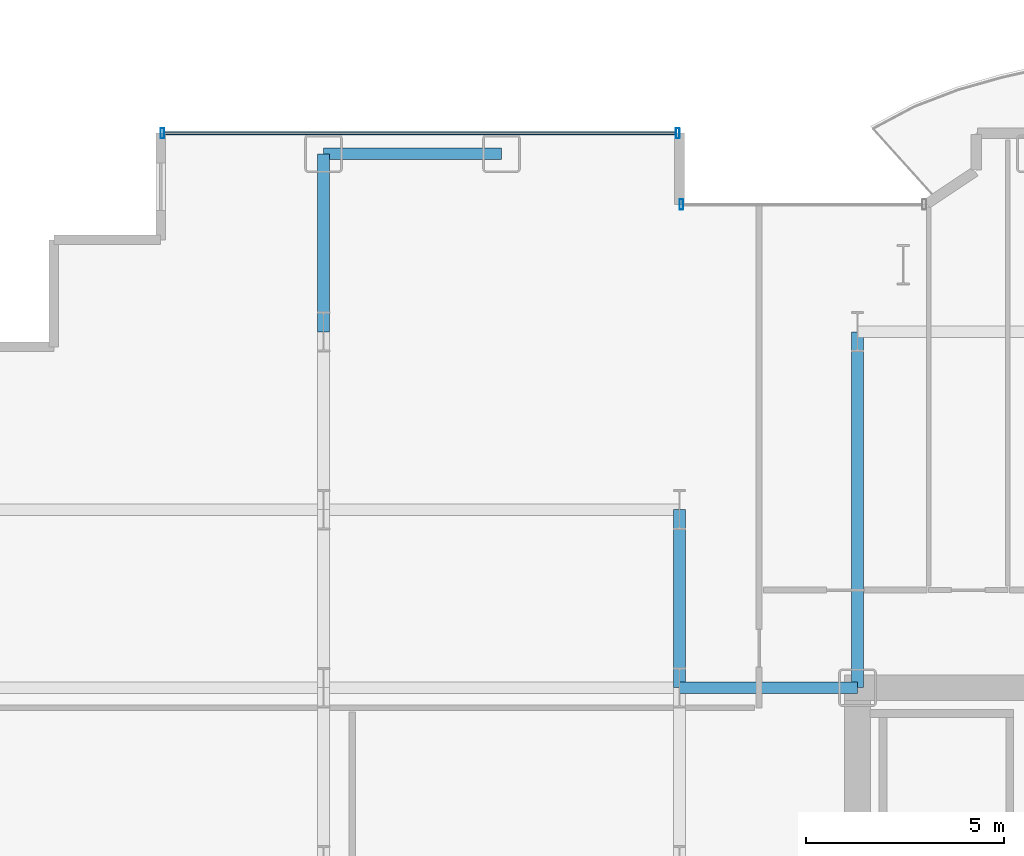
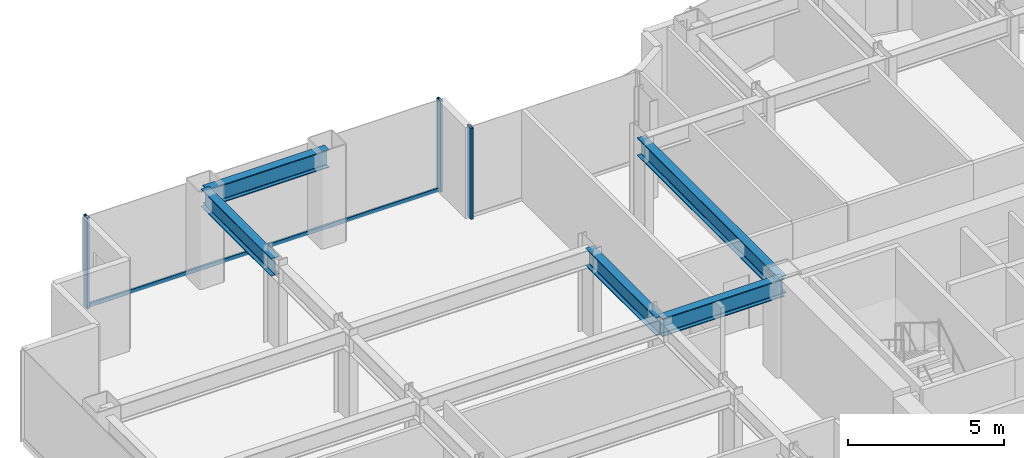
# One storey, part 12 of 29: 5 beams, 4 members, 2 elements without a shape of their own.
"""IFC4 building model written with IfcOpenShell, lengths in metres."""

import ifcopenshell
import ifcopenshell.guid

model = None  # the IFC model being written
_history = None  # IfcOwnerHistory: only IFC2X3 demands one
_inside = {}  # id of a spatial element -> (the spatial element, [elements in it])
_under = {}  # id of a project, library or spatial element -> (it, [spatial elements below it])
_declared = {}  # id of a project -> (the project, [libraries it declares])
_typed = {}  # id of a type object -> (the type object, [elements of that type])
_made_of = {}  # id of a material, layer set ... -> (it, [elements and type objects made of it])


def new_model(schema):
    """Start an empty IFC model of exactly this schema.

    Asked for "IFC4X3", IfcOpenShell would pick the latest addendum, in which some entities
    have other attributes; the version numbers below select the first issue.
    IFC2X3 requires an IfcOwnerHistory on every rooted entity: one is made here for all.
    """
    global model, _history
    if schema == "IFC4X3":
        model = ifcopenshell.file(schema_version=(4, 3, 0, 0))
    else:
        model = ifcopenshell.file(schema=schema)
    _inside.clear()
    _under.clear()
    _declared.clear()
    _typed.clear()
    _made_of.clear()
    _history = None
    if model.schema == "IFC2X3":
        org = make("IfcOrganization", Name="unknown")
        user = make(
            "IfcPersonAndOrganization",
            ThePerson=make("IfcPerson", FamilyName="unknown"),
            TheOrganization=org,
        )
        app = make(
            "IfcApplication",
            ApplicationDeveloper=org,
            Version="unknown",
            ApplicationFullName="unknown",
            ApplicationIdentifier="unknown",
        )
        _history = make(
            "IfcOwnerHistory",
            OwningUser=user,
            OwningApplication=app,
            ChangeAction="ADDED",
            CreationDate=0,
        )
    return model


def make(cls, **values):
    """One entity of the class cls with the attributes given. An attribute that is None is left unset."""
    return model.create_entity(
        cls, **{name: value for name, value in values.items() if value is not None}
    )


def rooted(cls, **values):
    """An entity with a GlobalId (a new one), such as an element, a storey or a relation."""
    return make(cls, GlobalId=ifcopenshell.guid.new(), OwnerHistory=_history, **values)


def si_unit(unit_type, name, prefix=None):
    """IfcSIUnit, for example si_unit("LENGTHUNIT", "METRE", prefix="MILLI")."""
    return make("IfcSIUnit", UnitType=unit_type, Prefix=prefix, Name=name)


def assignment(units):
    """IfcUnitAssignment: the units of a project."""
    return None if units is None else make("IfcUnitAssignment", Units=units)


def point(xyz):
    """IfcCartesianPoint."""
    return None if xyz is None else make("IfcCartesianPoint", Coordinates=xyz)


def direction(xyz):
    """IfcDirection."""
    return None if xyz is None else make("IfcDirection", DirectionRatios=xyz)


def frame(location, z_axis=None, x_axis=None):
    """IfcAxis2Placement3D, a coordinate frame: its origin and axes. An axis left out is left unset."""
    return make(
        "IfcAxis2Placement3D",
        Location=point(location),
        Axis=direction(z_axis),
        RefDirection=direction(x_axis),
    )


def frame_2d(location, x_axis=None):
    """IfcAxis2Placement2D, a coordinate frame in the plane: its origin and x axis."""
    return make(
        "IfcAxis2Placement2D", Location=point(location), RefDirection=direction(x_axis)
    )


def origin():
    """The frame at (0, 0, 0) with its axes left unset."""
    return frame((0.0, 0.0, 0.0))


def origin_2d():
    """The frame at (0, 0) in the plane with its x axis left unset."""
    return frame_2d((0.0, 0.0))


def place(relative_to, where):
    """IfcLocalPlacement: puts the frame where relative to a parent placement (None: the world)."""
    return make(
        "IfcLocalPlacement", PlacementRelTo=relative_to, RelativePlacement=where
    )


def context(
    kind, dimensions, precision=None, world=None, true_north=None, identifier=None
):
    """IfcGeometricRepresentationContext, for example the 3D "Model" context."""
    return make(
        "IfcGeometricRepresentationContext",
        ContextIdentifier=identifier,
        ContextType=kind,
        CoordinateSpaceDimension=dimensions,
        Precision=precision,
        WorldCoordinateSystem=world,
        TrueNorth=true_north,
    )


def subcontext(parent, identifier, kind, view, scale=None):
    """IfcGeometricRepresentationSubContext, for example "Body" below "Model"."""
    return make(
        "IfcGeometricRepresentationSubContext",
        ContextIdentifier=identifier,
        ContextType=kind,
        ParentContext=parent,
        TargetScale=scale,
        TargetView=view,
    )


def project(units=None, contexts=None):
    """IfcProject with its units and contexts."""
    return rooted(
        "IfcProject",
        Name="project",
        RepresentationContexts=contexts,
        UnitsInContext=assignment(units),
    )


def spatial(cls, under=None, at=None, **own):
    """A site, building, storey or space (cls), placed at a placement, below another one or the project."""
    s = rooted(cls, ObjectPlacement=at, **own)
    if under is not None:
        _under.setdefault(under.id(), (under, []))[1].append(s)
    return s


def profile(cls, at=None, kind="AREA", **sizes):
    """A parametric profile (cls). Its sizes go by their IFC names, for example OverallWidth=200.0."""
    return make(cls, ProfileType=kind, Position=at, **sizes)


def hollow_rectangle(**sizes):
    """IfcRectangleHollowProfileDef."""
    return profile("IfcRectangleHollowProfileDef", **sizes)


def i_section(**sizes):
    """IfcIShapeProfileDef."""
    return profile("IfcIShapeProfileDef", **sizes)


def extrude(swept, where, along, depth):
    """IfcExtrudedAreaSolid: the profile swept, set in the frame where, extruded along a direction by depth."""
    return make(
        "IfcExtrudedAreaSolid",
        SweptArea=swept,
        Position=where,
        ExtrudedDirection=direction(along),
        Depth=depth,
    )


def shape(context_of_items, identifier, shape_type, items):
    """IfcShapeRepresentation: the items that make up one representation, for example the "Body"."""
    return make(
        "IfcShapeRepresentation",
        ContextOfItems=context_of_items,
        RepresentationIdentifier=identifier,
        RepresentationType=shape_type,
        Items=items,
    )


def source(mapping_origin, context_of_items, identifier, shape_type, items):
    """IfcRepresentationMap: a shape defined once, which mapped items show again and again."""
    return make(
        "IfcRepresentationMap",
        MappingOrigin=mapping_origin,
        MappedRepresentation=shape(context_of_items, identifier, shape_type, items),
    )


def transform(
    local_origin,
    x_axis=None,
    y_axis=None,
    z_axis=None,
    scale=None,
    scale2=None,
    scale3=None,
    uniform=True,
):
    """IfcCartesianTransformationOperator3D, or its non-uniform kind. x_axis, y_axis, z_axis: its Axis1, 2, 3."""
    if uniform:
        return make(
            "IfcCartesianTransformationOperator3D",
            Axis1=direction(x_axis),
            Axis2=direction(y_axis),
            LocalOrigin=point(local_origin),
            Scale=scale,
            Axis3=direction(z_axis),
        )
    return make(
        "IfcCartesianTransformationOperator3DnonUniform",
        Axis1=direction(x_axis),
        Axis2=direction(y_axis),
        LocalOrigin=point(local_origin),
        Scale=scale,
        Axis3=direction(z_axis),
        Scale2=scale2,
        Scale3=scale3,
    )


def mapped(mapping_source, mapping_target):
    """IfcMappedItem: shows the shape of a source again, moved by a transform."""
    return make(
        "IfcMappedItem", MappingSource=mapping_source, MappingTarget=mapping_target
    )


def material(Name=None, Category=None):
    """IfcMaterial."""
    return make("IfcMaterial", Name=Name, Category=Category)


def layer(
    of_material, thickness, ventilated=None, Name=None, Category=None, Priority=None
):
    """IfcMaterialLayer: one layer of a wall or slab, of a material (None: an air gap)."""
    return make(
        "IfcMaterialLayer",
        Material=of_material,
        LayerThickness=thickness,
        IsVentilated=ventilated,
        Name=Name,
        Category=Category,
        Priority=Priority,
    )


def layer_set(layers, Name=None):
    """IfcMaterialLayerSet."""
    return make("IfcMaterialLayerSet", MaterialLayers=layers, LayerSetName=Name)


def material_profile(
    of_material, cross_section, Name=None, Category=None, Priority=None
):
    """IfcMaterialProfile: a cross section and its material."""
    return make(
        "IfcMaterialProfile",
        Name=Name,
        Material=of_material,
        Profile=cross_section,
        Priority=Priority,
        Category=Category,
    )


def profile_set(profiles, Name=None, composite=None):
    """IfcMaterialProfileSet."""
    return make(
        "IfcMaterialProfileSet",
        Name=Name,
        MaterialProfiles=profiles,
        CompositeProfile=composite,
    )


def made_of(thing, what):
    """Note that an element or type object is made of a material, layer set ...; save() writes the relation."""
    if what is not None:
        _made_of.setdefault(what.id(), (what, []))[1].append(thing)
    return thing


def type_object(cls, material=None, **own):
    """A type object (cls), such as IfcWallType, which elements share."""
    return made_of(rooted(cls, **own), material)


def element(
    cls,
    number,
    at=None,
    inside=None,
    cuts=None,
    type_object=None,
    material=None,
    context=None,
    identifier="Body",
    shape_type=None,
    held_by="IfcProductDefinitionShape",
    body=None,
    shapes=None,
    **own,
):
    """One element of the class cls, such as IfcWall. Its Tag is "e" and its number.

    at: its placement. inside: the storey or other place that contains it. cuts: it is an
    opening in that element (IfcRelVoidsElement). A single representation is given by context,
    identifier, shape_type and body (its items); several are given by shapes. held_by: the class
    of the entity that holds the representations. save() writes the other relations.
    """
    e = rooted(cls, Tag="e%d" % number, ObjectPlacement=at, **own)
    if body is not None:
        shapes = [shape(context, identifier, shape_type, body)]
    if shapes is not None:
        e.Representation = make(held_by, Representations=shapes)
    if inside is not None:
        _inside.setdefault(inside.id(), (inside, []))[1].append(e)
    if cuts is not None:
        rooted(
            "IfcRelVoidsElement", RelatingBuildingElement=cuts, RelatedOpeningElement=e
        )
    if type_object is not None:
        _typed.setdefault(type_object.id(), (type_object, []))[1].append(e)
    return made_of(e, material)


def aggregate(whole, parts):
    """IfcRelAggregates: a whole, such as a stair, and the parts it consists of."""
    return rooted("IfcRelAggregates", RelatingObject=whole, RelatedObjects=parts)


def save(model, path):
    """Write the relations noted so far, then the file.

    IfcRelAggregates (storeys below a building ...), IfcRelContainedInSpatialStructure (elements
    in a storey), IfcRelDefinesByType, IfcRelAssociatesMaterial and IfcRelDeclares: one each for
    every whole, place, type object, material and project.
    """
    for whole, parts in _under.values():
        aggregate(whole, parts)
    for where, things in _inside.values():
        rooted(
            "IfcRelContainedInSpatialStructure",
            RelatedElements=things,
            RelatingStructure=where,
        )
    for kind, things in _typed.values():
        rooted("IfcRelDefinesByType", RelatedObjects=things, RelatingType=kind)
    for what, things in _made_of.values():
        rooted("IfcRelAssociatesMaterial", RelatedObjects=things, RelatingMaterial=what)
    for by, libraries in _declared.values():
        rooted("IfcRelDeclares", RelatingContext=by, RelatedDefinitions=libraries)
    model.write(path)


model = new_model("IFC4")

# Units and contexts
model_context = context("Model", 3, precision=1e-05, world=origin(), true_north=direction((0.0, 1.0)))
body_context = subcontext(model_context, "Body", "Model", "MODEL_VIEW")
ifc_project = project(units=[si_unit("LENGTHUNIT", "METRE"), si_unit("AREAUNIT", "SQUARE_METRE"), si_unit("VOLUMEUNIT", "CUBIC_METRE"), si_unit("PLANEANGLEUNIT", "RADIAN"), si_unit("MASSUNIT", "GRAM", prefix="KILO")], contexts=[model_context])

# Site, building, storey
site_placement = place(None, origin())
site = spatial("IfcSite", under=ifc_project, at=site_placement, CompositionType="ELEMENT")
building_placement = place(site_placement, origin())
building = spatial("IfcBuilding", under=site, at=building_placement, Name="Nefas-Gora Pilgrimage Tower", CompositionType="ELEMENT")
storey_placement = place(building_placement, frame((0.0, 0.0, 55.800048828125)))
storey = spatial("IfcBuildingStorey", under=building, at=storey_placement, Name="L12", CompositionType="ELEMENT", Elevation=55.800048828125)

# Beams
ifc_material_1 = material(Name="Steel S355", Category="steel")
ifc_material_profile_1 = material_profile(ifc_material_1, i_section(OverallWidth=0.300048828125, OverallDepth=0.699951171875, WebThickness=0.01708984375, FlangeThickness=0.031982421875, FilletRadius=0.027099609375, at=origin_2d()), Name="HEB 700")
ifc_profile_set_1 = profile_set([ifc_material_profile_1], Name="Steel S355")
beam_type_1 = type_object("IfcBeamType", Name="BM-SPN-HEB600", PredefinedType="SPANDREL", material=ifc_profile_set_1)
shared_shape_1 = source(origin(), body_context, "Body", "SweptSolid", [
    extrude(i_section(OverallWidth=0.300048828125, OverallDepth=0.699951171875, WebThickness=0.01708984375, FlangeThickness=0.031982421875, FilletRadius=0.027099609375, at=origin_2d()), origin(), (0.0, 0.0, 1.0), 4.5),
])
beam_1_placement = place(storey_placement, frame((-24.75, 22.5, 3.199951171875), z_axis=(1.0, 0.0, 0.0), x_axis=(0.0, 1.0, 0.0)))
element("IfcBeam", 1, at=beam_1_placement, inside=storey, type_object=beam_type_1, Name="L12 SP-01 beam", PredefinedType="SPANDREL", context=body_context, shape_type="MappedRepresentation", body=[
    mapped(shared_shape_1, transform((0.0, 0.0, 0.0), x_axis=(1.0, 0.0, 0.0), y_axis=(0.0, 1.0, 0.0), z_axis=(0.0, 0.0, 1.0), scale=1.0)),
])
ifc_material_profile_2 = material_profile(ifc_material_1, i_section(OverallWidth=0.300048828125, OverallDepth=0.699951171875, WebThickness=0.01708984375, FlangeThickness=0.031982421875, FilletRadius=0.027099609375, at=origin_2d()), Name="HEB 700")
ifc_profile_set_2 = profile_set([ifc_material_profile_2], Name="Steel S355")
beam_type_2 = type_object("IfcBeamType", Name="BM-GIR-HEB700", PredefinedType="BEAM", material=ifc_profile_set_2)
shared_shape_2 = source(origin(), body_context, "Body", "SweptSolid", [
    extrude(i_section(OverallWidth=0.300048828125, OverallDepth=0.699951171875, WebThickness=0.01708984375, FlangeThickness=0.031982421875, FilletRadius=0.027099609375, at=origin_2d()), origin(), (0.0, 0.0, 1.0), 9.0),
])
beam_2_placement = place(storey_placement, frame((-11.25, 9.0, 3.199951171875), z_axis=(0.0, 1.0, 0.0), x_axis=(-1.0, 0.0, 0.0)))
element("IfcBeam", 2, at=beam_2_placement, inside=storey, type_object=beam_type_2, Name="L12 G-02 beam", PredefinedType="BEAM", context=body_context, shape_type="MappedRepresentation", body=[
    mapped(shared_shape_2, transform((0.0, 0.0, 0.0), x_axis=(1.0, 0.0, 0.0), y_axis=(0.0, 1.0, 0.0), z_axis=(0.0, 0.0, 1.0), scale=1.0)),
])
shared_shape_3 = source(origin(), body_context, "Body", "SweptSolid", [
    extrude(i_section(OverallWidth=0.300048828125, OverallDepth=0.699951171875, WebThickness=0.01708984375, FlangeThickness=0.031982421875, FilletRadius=0.027099609375, at=origin_2d()), origin(), (0.0, 0.0, 1.0), 4.5),
])
for number, where, z_axis, x_axis, name in (
    (3, (-24.75, 18.0, 3.199951171875), (0.0, 1.0, 0.0), (-1.0, 0.0, 0.0), "L12 G-02 beam"),
    (4, (-15.75, 9.0, 3.199951171875), (0.0, 1.0, 0.0), (-1.0, 0.0, 0.0), "L12 G-02 beam"),
    (5, (-15.75, 9.0, 3.199951171875), (1.0, 0.0, 0.0), (0.0, 1.0, 0.0), "L12 G-02 beam"),
):
    element("IfcBeam", number, at=place(storey_placement, frame(where, z_axis=z_axis, x_axis=x_axis)), inside=storey, type_object=beam_type_2, Name=name, PredefinedType="BEAM", context=body_context, shape_type="MappedRepresentation", body=[
        mapped(shared_shape_3, transform((0.0, 0.0, 0.0), x_axis=(1.0, 0.0, 0.0), y_axis=(0.0, 1.0, 0.0), z_axis=(0.0, 0.0, 1.0), scale=1.0)),
    ])

# Curtain wall, member
ifc_material_2 = material(Name="Dark ceramic-fritted solar-control aluminium-glass curtain wall", Category="aluminium")
ifc_layer_1 = layer(ifc_material_2, 0.219970703125)
ifc_layer_set_1 = layer_set([ifc_layer_1], Name="Dark ceramic-fritted solar-control aluminium-glass curtain wall")
curtain_wall_type_1 = type_object("IfcCurtainWallType", Name="CW-SYS-5", PredefinedType="NOTDEFINED", material=ifc_layer_set_1)
curtain_wall_1_placement = place(storey_placement, origin())
curtain_wall_1 = element("IfcCurtainWall", 6, at=curtain_wall_1_placement, inside=storey, type_object=curtain_wall_type_1, Name="L12 Unitised Curtain Wall CW5", PredefinedType="NOTDEFINED")
ifc_material_3 = material(Name="Anodised architectural aluminium", Category="aluminium")
ifc_material_profile_3 = material_profile(ifc_material_3, hollow_rectangle(XDim=0.090087890625, YDim=0.260009765625, WallThickness=0.006103515625, InnerFilletRadius=0.006103515625, OuterFilletRadius=0.011962890625, at=origin_2d()), Name="ALU MULLION 90x260")
ifc_profile_set_3 = profile_set([ifc_material_profile_3], Name="Anodised architectural aluminium")
member_type_1 = type_object("IfcMemberType", Name="CWM-MUL-5", PredefinedType="MULLION", material=ifc_profile_set_3)
shared_shape_4 = source(origin(), body_context, "Body", "SweptSolid", [
    extrude(hollow_rectangle(XDim=0.090087890625, YDim=0.260009765625, WallThickness=0.006103515625, InnerFilletRadius=0.006103515625, OuterFilletRadius=0.011962890625, at=origin_2d()), origin(), (0.0, 0.0, 1.0), 3.550048828125),
])
member_1_placement = place(storey_placement, frame((-15.705078125, 21.219970703125, 0.0), z_axis=(0.0, 0.0, 1.0), x_axis=(-1.0, 0.0, 0.0)))
member_1 = element("IfcMember", 7, at=member_1_placement, type_object=member_type_1, Name="CW5 Mullion 2", PredefinedType="MULLION", context=body_context, shape_type="MappedRepresentation", body=[
    mapped(shared_shape_4, transform((0.0, 0.0, 0.0), x_axis=(1.0, 0.0, 0.0), y_axis=(0.0, 1.0, 0.0), z_axis=(0.0, 0.0, 1.0), scale=1.0)),
])
aggregate(curtain_wall_1, [member_1])

# Curtain wall, members
ifc_layer_2 = layer(ifc_material_2, 0.219970703125)
ifc_layer_set_2 = layer_set([ifc_layer_2], Name="Dark ceramic-fritted solar-control aluminium-glass curtain wall")
curtain_wall_type_2 = type_object("IfcCurtainWallType", Name="CW-SYS-2", PredefinedType="NOTDEFINED", material=ifc_layer_set_2)
curtain_wall_2_placement = place(storey_placement, origin())
curtain_wall_2 = element("IfcCurtainWall", 8, at=curtain_wall_2_placement, inside=storey, type_object=curtain_wall_type_2, Name="L12 Unitised Curtain Wall CW2", PredefinedType="NOTDEFINED")
ifc_material_profile_4 = material_profile(ifc_material_3, hollow_rectangle(XDim=0.090087890625, YDim=0.260009765625, WallThickness=0.006103515625, InnerFilletRadius=0.006103515625, OuterFilletRadius=0.011962890625, at=origin_2d()), Name="ALU MULLION 90x260")
ifc_profile_set_4 = profile_set([ifc_material_profile_4], Name="Anodised architectural aluminium")
member_type_2 = type_object("IfcMemberType", Name="CWM-MUL-2", PredefinedType="MULLION", material=ifc_profile_set_4)
shared_shape_5 = source(origin(), body_context, "Body", "SweptSolid", [
    extrude(hollow_rectangle(XDim=0.090087890625, YDim=0.260009765625, WallThickness=0.006103515625, InnerFilletRadius=0.006103515625, OuterFilletRadius=0.011962890625, at=origin_2d()), origin(), (0.0, 0.0, 1.0), 3.550048828125),
])
member_2_placement = place(storey_placement, frame((-15.794921875, 23.02001953125, 0.0), z_axis=(0.0, 0.0, 1.0), x_axis=(-1.0, 0.0, 0.0)))
member_2 = element("IfcMember", 9, at=member_2_placement, type_object=member_type_2, Name="CW2 Mullion 1", PredefinedType="MULLION", context=body_context, shape_type="MappedRepresentation", body=[
    mapped(shared_shape_5, transform((0.0, 0.0, 0.0), x_axis=(1.0, 0.0, 0.0), y_axis=(0.0, 1.0, 0.0), z_axis=(0.0, 0.0, 1.0), scale=1.0)),
])
member_3_placement = place(storey_placement, frame((-28.824951171875, 23.02001953125, 0.0), z_axis=(0.0, 0.0, 1.0), x_axis=(-1.0, 0.0, 0.0)))
member_3 = element("IfcMember", 10, at=member_3_placement, type_object=member_type_2, Name="CW2 Mullion 2", PredefinedType="MULLION", context=body_context, shape_type="MappedRepresentation", body=[
    mapped(shared_shape_5, transform((0.0, 0.0, 0.0), x_axis=(1.0, 0.0, 0.0), y_axis=(0.0, 1.0, 0.0), z_axis=(0.0, 0.0, 1.0), scale=1.0)),
])
ifc_material_profile_5 = material_profile(ifc_material_3, hollow_rectangle(XDim=0.080078125, YDim=0.159912109375, WallThickness=0.00439453125, InnerFilletRadius=0.00439453125, OuterFilletRadius=0.009033203125, at=origin_2d()), Name="ALU TRANSOM 80x160")
ifc_profile_set_5 = profile_set([ifc_material_profile_5], Name="Anodised architectural aluminium")
member_type_3 = type_object("IfcMemberType", Name="CWM-TRN-2", PredefinedType="USERDEFINED", material=ifc_profile_set_5)
shared_shape_6 = source(origin(), body_context, "Body", "SweptSolid", [
    extrude(hollow_rectangle(XDim=0.080078125, YDim=0.159912109375, WallThickness=0.00439453125, InnerFilletRadius=0.00439453125, OuterFilletRadius=0.009033203125, at=origin_2d()), origin(), (0.0, 0.0, 1.0), 12.93994140625),
])
member_4_placement = place(storey_placement, frame((-15.840087890625, 23.02001953125, 0.050048828125), z_axis=(-1.0, 0.0, 0.0), x_axis=(0.0, -1.0, 0.0)))
member_4 = element("IfcMember", 11, at=member_4_placement, type_object=member_type_3, Name="CW2 Spandrel Transom", ObjectType="TRANSOM", PredefinedType="USERDEFINED", context=body_context, shape_type="MappedRepresentation", body=[
    mapped(shared_shape_6, transform((0.0, 0.0, 0.0), x_axis=(1.0, 0.0, 0.0), y_axis=(0.0, 1.0, 0.0), z_axis=(0.0, 0.0, 1.0), scale=1.0)),
])
aggregate(curtain_wall_2, [member_2, member_3, member_4])

save(model, "model.ifc")
